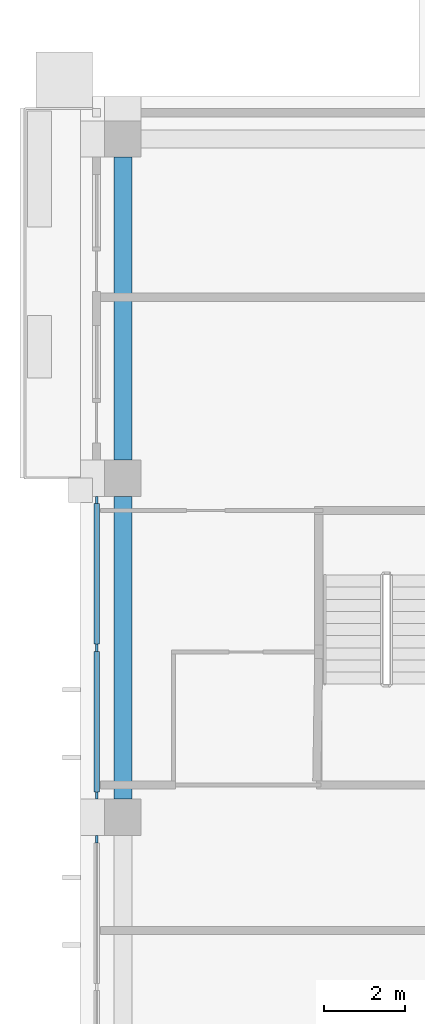
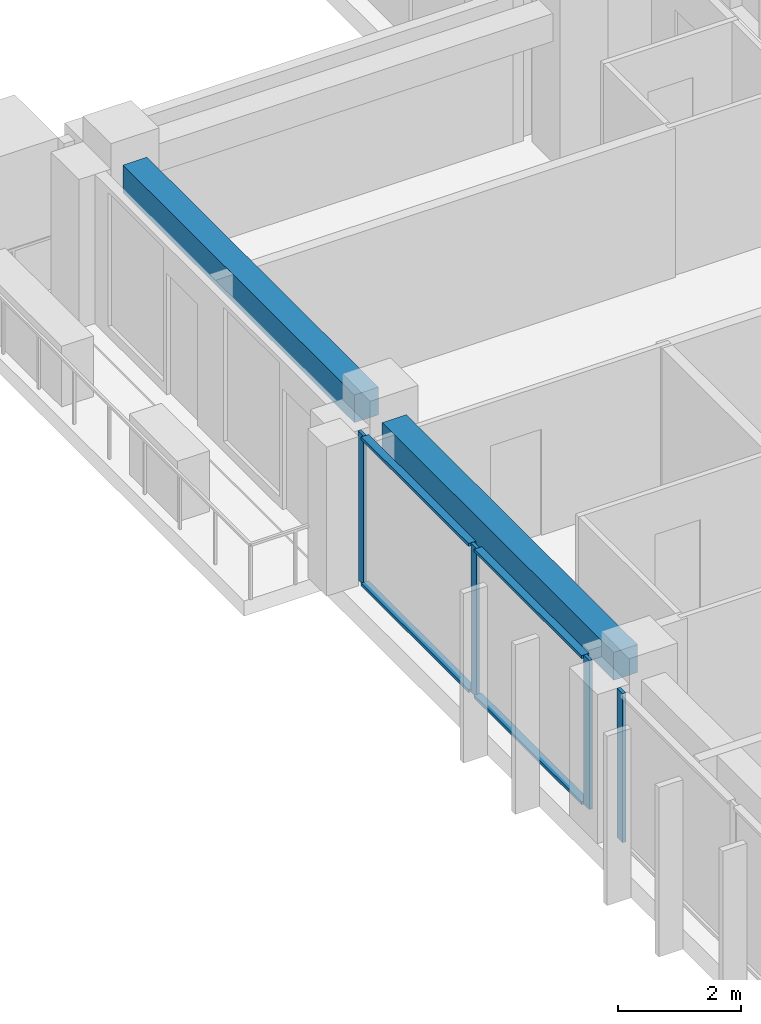
# One storey, part 4 of 18: 8 members, 2 beams, 2 elements without a shape of their own.
"""IFC4 building model written with IfcOpenShell, lengths in metres."""

from ifc_helpers import new_model, si_unit, direction, frame, origin, origin_2d, place, context, subcontext, project, spatial, rectangle, extrude, material, material_profile, profile_set, type_object, element, aggregate, save


model = new_model("IFC4")

# Units and contexts
model_context = context("Model", 3, precision=1e-05, world=origin(), true_north=direction((0.0, 1.0)))
body_context = subcontext(model_context, "Body", "Model", "MODEL_VIEW")
ifc_project = project(units=[si_unit("LENGTHUNIT", "METRE"), si_unit("AREAUNIT", "SQUARE_METRE"), si_unit("VOLUMEUNIT", "CUBIC_METRE"), si_unit("PLANEANGLEUNIT", "RADIAN"), si_unit("MASSUNIT", "GRAM", prefix="KILO")], contexts=[model_context])

# Site, building, storey
site_placement = place(None, origin())
site = spatial("IfcSite", under=ifc_project, at=site_placement, CompositionType="ELEMENT")
building_placement = place(site_placement, origin())
building = spatial("IfcBuilding", under=site, at=building_placement, Name="Vermilion Ogive Tower", CompositionType="ELEMENT")
storey_placement = place(building_placement, frame((0.0, 0.0, 261.39990234375)))
storey = spatial("IfcBuildingStorey", under=building, at=storey_placement, Name="L69", CompositionType="ELEMENT", Elevation=261.39990234375)

# Curtain wall, members
ifc_material_1 = material(Name="Low-iron laminated glazing in aluminium frame", Category="aluminium")
curtain_wall_type = type_object("IfcCurtainWallType", Name="Curtain wall CW7", PredefinedType="NOTDEFINED", material=ifc_material_1)
curtain_wall_1_placement = place(storey_placement, origin())
curtain_wall_1 = element("IfcCurtainWall", 1, at=curtain_wall_1_placement, inside=storey, type_object=curtain_wall_type, Name="Glazed skin W2", PredefinedType="NOTDEFINED")
ifc_material_2 = material(Name="Aluminium mullion", Category="aluminium")
ifc_material_profile_1 = material_profile(ifc_material_2, rectangle(XDim=0.06005859375, YDim=0.179931640625, at=origin_2d()), Name="AL 60x180")
ifc_profile_set_1 = profile_set([ifc_material_profile_1], Name="Aluminium mullion")
member_type_1 = type_object("IfcMemberType", Name="CW7 mullion 60x180", PredefinedType="MULLION", material=ifc_profile_set_1)
member_1_placement = place(storey_placement, frame((-25.85009765625, 3.659912109375, 0.0), z_axis=(0.0, 0.0, 1.0), x_axis=(1.0, 0.0, 0.0)))
member_1 = element("IfcMember", 2, at=member_1_placement, type_object=member_type_1, Name="CW7-W2 mullion 1", PredefinedType="MULLION", context=body_context, shape_type="SweptSolid", body=[
    extrude(rectangle(XDim=0.06005859375, YDim=0.179931640625, at=origin_2d()), origin(), (0.0, 0.0, 1.0), 2.9501953125),
])
member_2_placement = place(storey_placement, frame((-25.85009765625, 0.0, 0.0), z_axis=(0.0, 0.0, 1.0), x_axis=(1.0, 0.0, 0.0)))
member_2 = element("IfcMember", 3, at=member_2_placement, type_object=member_type_1, Name="CW7-W2 mullion 2", PredefinedType="MULLION", context=body_context, shape_type="SweptSolid", body=[
    extrude(rectangle(XDim=0.06005859375, YDim=0.179931640625, at=origin_2d()), origin(), (0.0, 0.0, 1.0), 2.9501953125),
])
member_3_placement = place(storey_placement, frame((-25.85009765625, -3.659912109375, 0.0), z_axis=(0.0, 0.0, 1.0), x_axis=(1.0, 0.0, 0.0)))
member_3 = element("IfcMember", 4, at=member_3_placement, type_object=member_type_1, Name="CW7-W2 mullion 3", PredefinedType="MULLION", context=body_context, shape_type="SweptSolid", body=[
    extrude(rectangle(XDim=0.06005859375, YDim=0.179931640625, at=origin_2d()), origin(), (0.0, 0.0, 1.0), 2.9501953125),
])

# Curtain wall, member
curtain_wall_2_placement = place(storey_placement, origin())
curtain_wall_2 = element("IfcCurtainWall", 5, at=curtain_wall_2_placement, inside=storey, type_object=curtain_wall_type, Name="Glazed skin W3", PredefinedType="NOTDEFINED")
member_4_placement = place(storey_placement, frame((-25.85009765625, -4.739990234375, 0.0), z_axis=(0.0, 0.0, 1.0), x_axis=(1.0, 0.0, 0.0)))
member_4 = element("IfcMember", 6, at=member_4_placement, type_object=member_type_1, Name="CW7-W3 mullion 1", PredefinedType="MULLION", context=body_context, shape_type="SweptSolid", body=[
    extrude(rectangle(XDim=0.06005859375, YDim=0.179931640625, at=origin_2d()), origin(), (0.0, 0.0, 1.0), 2.9501953125),
])
aggregate(curtain_wall_2, [member_4])

# Member
ifc_material_3 = material(Name="Aluminium transom", Category="aluminium")
ifc_material_profile_2 = material_profile(ifc_material_3, rectangle(XDim=0.139892578125, YDim=0.06005859375, at=origin_2d()), Name="AL 60x140")
ifc_profile_set_2 = profile_set([ifc_material_profile_2], Name="Aluminium transom")
member_type_2 = type_object("IfcMemberType", Name="CW7 transom 60x140", PredefinedType="USERDEFINED", material=ifc_profile_set_2)
member_5_placement = place(storey_placement, frame((-25.85009765625, 3.570068359375, 0.030029296875), z_axis=(0.0, -1.0, 0.0), x_axis=(1.0, 0.0, 0.0)))
member_5 = element("IfcMember", 7, at=member_5_placement, type_object=member_type_2, Name="CW7-W2 transom 1.1", ObjectType="TRANSOM", PredefinedType="USERDEFINED", context=body_context, shape_type="SweptSolid", body=[
    extrude(rectangle(XDim=0.139892578125, YDim=0.06005859375, at=origin_2d()), origin(), (0.0, 0.0, 1.0), 3.47998046875),
])

member_6_placement = place(storey_placement, frame((-25.85009765625, 3.570068359375, 2.920166015625), z_axis=(0.0, -1.0, 0.0), x_axis=(1.0, 0.0, 0.0)))
member_6 = element("IfcMember", 8, at=member_6_placement, type_object=member_type_2, Name="CW7-W2 transom 1.2", ObjectType="TRANSOM", PredefinedType="USERDEFINED", context=body_context, shape_type="SweptSolid", body=[
    extrude(rectangle(XDim=0.139892578125, YDim=0.06005859375, at=origin_2d()), origin(), (0.0, 0.0, 1.0), 3.47998046875),
])

member_7_placement = place(storey_placement, frame((-25.85009765625, -0.090087890625, 0.030029296875), z_axis=(0.0, -1.0, 0.0), x_axis=(1.0, 0.0, 0.0)))
member_7 = element("IfcMember", 9, at=member_7_placement, type_object=member_type_2, Name="CW7-W2 transom 2.1", ObjectType="TRANSOM", PredefinedType="USERDEFINED", context=body_context, shape_type="SweptSolid", body=[
    extrude(rectangle(XDim=0.139892578125, YDim=0.06005859375, at=origin_2d()), origin(), (0.0, 0.0, 1.0), 3.47998046875),
])

member_8_placement = place(storey_placement, frame((-25.85009765625, -0.090087890625, 2.920166015625), z_axis=(0.0, -1.0, 0.0), x_axis=(1.0, 0.0, 0.0)))
member_8 = element("IfcMember", 10, at=member_8_placement, type_object=member_type_2, Name="CW7-W2 transom 2.2", ObjectType="TRANSOM", PredefinedType="USERDEFINED", context=body_context, shape_type="SweptSolid", body=[
    extrude(rectangle(XDim=0.139892578125, YDim=0.06005859375, at=origin_2d()), origin(), (0.0, 0.0, 1.0), 3.47998046875),
])

aggregate(curtain_wall_1, [member_1, member_2, member_3, member_5, member_6, member_7, member_8])

# Beams
ifc_material_4 = material(Name="Concrete B45", Category="concrete")
ifc_material_profile_3 = material_profile(ifc_material_4, rectangle(XDim=0.449951171875, YDim=0.550048828125, at=origin_2d()), Name="450 x 550")
ifc_profile_set_3 = profile_set([ifc_material_profile_3], Name="Concrete B45")
beam_type = type_object("IfcBeamType", Name="Edge beam 450 x 550 B45", PredefinedType="BEAM", material=ifc_profile_set_3)
for number, where, z_axis, x_axis, name in (
    (11, (-25.199951171875, 12.14990234375, 2.675048828125), (0.0, -1.0, 0.0), (1.0, 0.0, 0.0), "L69-EB-14"),
    (12, (-25.199951171875, 3.75, 2.675048828125), (0.0, -1.0, 0.0), (1.0, 0.0, 0.0), "L69-EB-15"),
):
    element("IfcBeam", number, at=place(storey_placement, frame(where, z_axis=z_axis, x_axis=x_axis)), inside=storey, type_object=beam_type, Name=name, PredefinedType="BEAM", context=body_context, shape_type="SweptSolid", body=[
        extrude(rectangle(XDim=0.449951171875, YDim=0.550048828125, at=origin_2d()), origin(), (0.0, 0.0, 1.0), 7.5),
    ])

save(model, "model.ifc")
